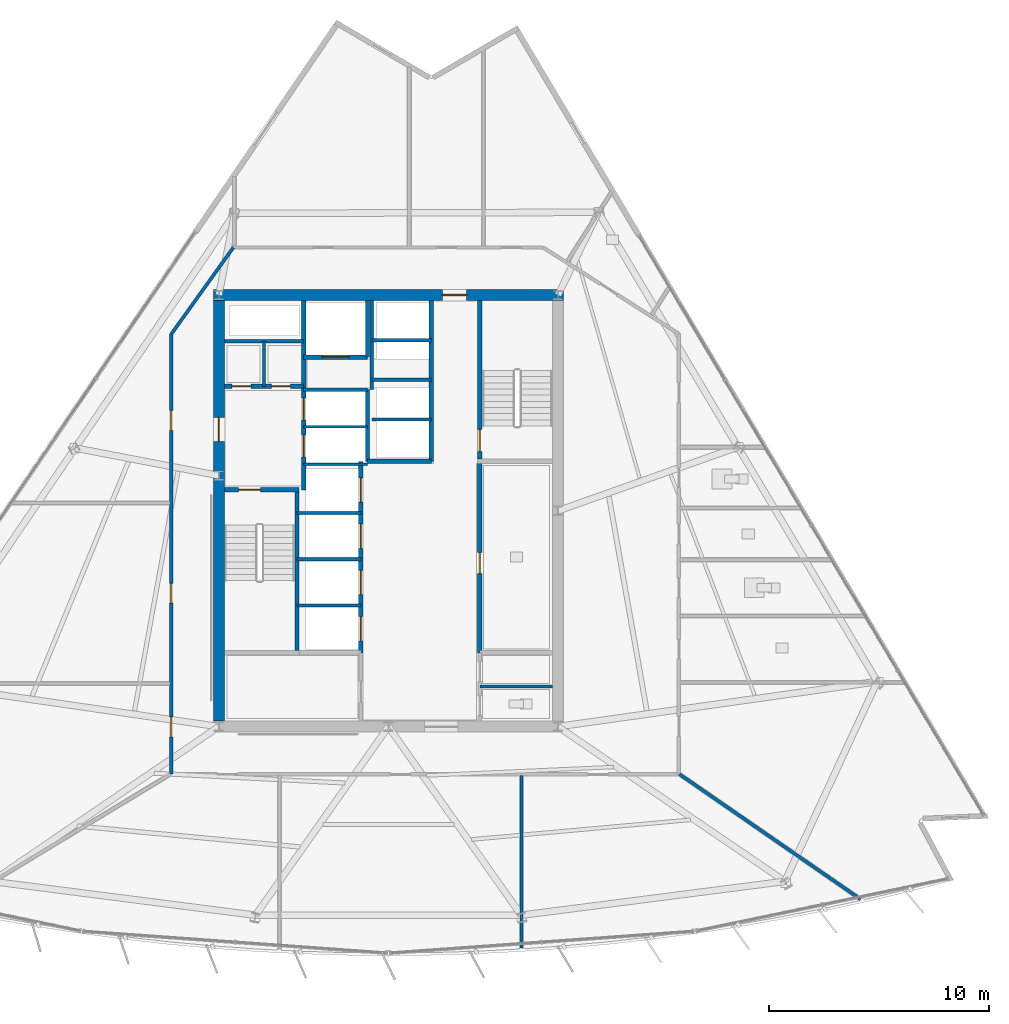
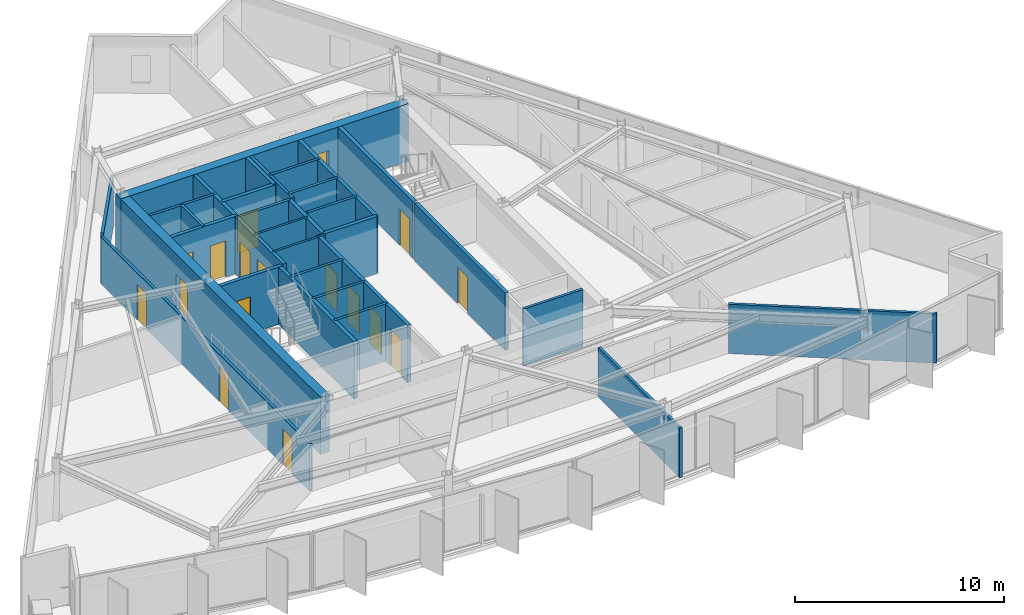
# One storey, part 8 of 15: 31 walls, 17 doors, 17 openings.
"""IFC4 building model written with IfcOpenShell, lengths in metres."""

from ifc_helpers import new_model, si_unit, direction, frame, frame_2d, origin, place, context, subcontext, project, spatial, rectangle, extrude, material, layer, layer_set, type_object, element, fill, save


model = new_model("IFC4")

# Units and contexts
model_context = context("Model", 3, precision=1e-05, world=origin(), true_north=direction((0.0, 1.0)))
body_context = subcontext(model_context, "Body", "Model", "MODEL_VIEW")
ifc_project = project(units=[si_unit("LENGTHUNIT", "METRE"), si_unit("AREAUNIT", "SQUARE_METRE"), si_unit("VOLUMEUNIT", "CUBIC_METRE"), si_unit("PLANEANGLEUNIT", "RADIAN"), si_unit("MASSUNIT", "GRAM", prefix="KILO")], contexts=[model_context])

# Site, building, storey
site_placement = place(None, origin())
site = spatial("IfcSite", under=ifc_project, at=site_placement, CompositionType="ELEMENT")
building_placement = place(site_placement, origin())
building = spatial("IfcBuilding", under=site, at=building_placement, Name="Savorim Split Tower", CompositionType="ELEMENT")
storey_placement = place(building_placement, frame((0.0, 0.0, 142.199951171875)))
storey = spatial("IfcBuildingStorey", under=building, at=storey_placement, Name="L37", CompositionType="ELEMENT", Elevation=142.199951171875)

# Wall, opening, door
ifc_material_1 = material(Name="Concrete C60/75", Category="concrete")
ifc_layer_1 = layer(ifc_material_1, 0.5)
ifc_layer_set_1 = layer_set([ifc_layer_1], Name="WAL-COR-SH500")
wall_type_1 = type_object("IfcWallType", Name="WAL-COR-SH500", PredefinedType="SHEAR", material=ifc_layer_set_1)
wall_1_placement = place(storey_placement, frame((7.949951171875, 10.199951171875, 0.0), z_axis=(0.0, 0.0, 1.0), x_axis=(-1.0, 0.0, 0.0)))
wall_1 = element("IfcWall", 1, at=wall_1_placement, inside=storey, type_object=wall_type_1, Name="L37 Offset Core North Shear Wall", PredefinedType="SHEAR", context=body_context, shape_type="SweptSolid", body=[
    extrude(rectangle(XDim=15.89990234375, YDim=0.5, at=frame_2d((7.949951171875, 0.0))), origin(), (0.0, 0.0, 1.0), 3.35009765625),
])
opening_1_placement = place(wall_1_placement, frame((4.39990234375, 0.0, 0.0)))
opening_1 = element("IfcOpeningElement", 2, at=opening_1_placement, cuts=wall_1, Name="Opening DI-03", PredefinedType="OPENING", context=body_context, shape_type="SweptSolid", body=[
    extrude(rectangle(XDim=1.10009765625, YDim=2.14990234375, at=frame_2d((0.550048828125, 1.074951171875))), frame((0.0, 0.260009765625, 0.0), z_axis=(0.0, -1.0, 0.0), x_axis=(1.0, 0.0, 0.0)), (0.0, 0.0, 1.0), 0.52001953125),
])
ifc_material_2 = material(Name="Timber Fire Door Leaf", Category="wood")
door_type_1 = type_object("IfcDoorType", Name="DOR-FIR-1100", OperationType="NOTDEFINED", PredefinedType="DOOR", material=ifc_material_2)
door_1_placement = place(opening_1_placement, origin())
door_1 = element("IfcDoor", 3, at=door_1_placement, inside=storey, type_object=door_type_1, Name="DOR-L37-COR-NLOB - L37 North Corridor Lobby Fire Door", OperationType="SINGLE_SWING_RIGHT", OverallHeight=2.14990234375, OverallWidth=1.10009765625, PredefinedType="DOOR", context=body_context, shape_type="SweptSolid", body=[
    extrude(rectangle(XDim=1.10009765625, YDim=2.14990234375, at=frame_2d((0.550048828125, 1.074951171875))), frame((0.0, 0.02490234375, 0.0), z_axis=(0.0, -1.0, 0.0), x_axis=(1.0, 0.0, 0.0)), (0.0, 0.0, 1.0), 0.050048828125),
])
fill(opening_1, door_1)

wall_2_placement = place(storey_placement, frame((-7.699951171875, -9.14990234375, 0.0), z_axis=(0.0, 0.0, 1.0), x_axis=(0.0, 1.0, 0.0)))
wall_2 = element("IfcWall", 4, at=wall_2_placement, inside=storey, type_object=wall_type_1, Name="L37 Offset Core West Shear Wall", PredefinedType="SHEAR", context=body_context, shape_type="SweptSolid", body=[
    extrude(rectangle(XDim=19.099853515625, YDim=0.5, at=frame_2d((9.5498046875, 0.0))), origin(), (0.0, 0.0, 1.0), 3.35009765625),
])
opening_2_placement = place(wall_2_placement, frame((12.699951171875, 0.0, 0.0)))
opening_2 = element("IfcOpeningElement", 5, at=opening_2_placement, cuts=wall_2, Name="Opening DI-03", PredefinedType="OPENING", context=body_context, shape_type="SweptSolid", body=[
    extrude(rectangle(XDim=1.10009765625, YDim=2.14990234375, at=frame_2d((0.550048828125, 1.074951171875))), frame((0.0, 0.260009765625, 0.0), z_axis=(0.0, -1.0, 0.0), x_axis=(1.0, 0.0, 0.0)), (0.0, 0.0, 1.0), 0.52001953125),
])
door_2_placement = place(opening_2_placement, origin())
door_2 = element("IfcDoor", 6, at=door_2_placement, inside=storey, type_object=door_type_1, Name="DOR-L37-COR-FFLOB - L37 Firefighting Lobby Corridor Door", OperationType="SINGLE_SWING_LEFT", OverallHeight=2.14990234375, OverallWidth=1.10009765625, PredefinedType="DOOR", context=body_context, shape_type="SweptSolid", body=[
    extrude(rectangle(XDim=1.10009765625, YDim=2.14990234375, at=frame_2d((0.550048828125, 1.074951171875))), frame((0.0, 0.02490234375, 0.0), z_axis=(0.0, -1.0, 0.0), x_axis=(1.0, 0.0, 0.0)), (0.0, 0.0, 1.0), 0.050048828125),
])
fill(opening_2, door_2)

ifc_material_3 = material(Name="Concrete C50/60", Category="concrete")
ifc_layer_2 = layer(ifc_material_3, 0.199951171875)
ifc_layer_set_2 = layer_set([ifc_layer_2], Name="WAL-INT-RC200")
wall_type_2 = type_object("IfcWallType", Name="WAL-INT-RC200", PredefinedType="SOLIDWALL", material=ifc_layer_set_2)
wall_3_placement = place(storey_placement, frame((-7.449951171875, 1.35009765625, 0.0), z_axis=(0.0, 0.0, 1.0), x_axis=(1.0, 0.0, 0.0)))
wall_3 = element("IfcWall", 7, at=wall_3_placement, inside=storey, type_object=wall_type_2, Name="L37 Structural Shaft Wall W-L37-CR01", PredefinedType="SOLIDWALL", context=body_context, shape_type="SweptSolid", body=[
    extrude(rectangle(XDim=3.39990234375, YDim=0.199951171875, at=frame_2d((1.699951171875, 0.0))), origin(), (0.0, 0.0, 1.0), 3.35009765625),
])
opening_3_placement = place(wall_3_placement, frame((0.64990234375, 0.0, 0.0)))
opening_3 = element("IfcOpeningElement", 8, at=opening_3_placement, cuts=wall_3, Name="Opening DI-04", PredefinedType="OPENING", context=body_context, shape_type="SweptSolid", body=[
    extrude(rectangle(XDim=1.0, YDim=2.14990234375, at=frame_2d((0.5, 1.074951171875))), frame((0.0, 0.10986328125, 0.0), z_axis=(0.0, -1.0, 0.0), x_axis=(1.0, 0.0, 0.0)), (0.0, 0.0, 1.0), 0.219970703125),
])
door_type_2 = type_object("IfcDoorType", Name="DOR-FIR-1000", OperationType="NOTDEFINED", PredefinedType="DOOR", material=ifc_material_2)
door_3_placement = place(opening_3_placement, origin())
door_3 = element("IfcDoor", 9, at=door_3_placement, inside=storey, type_object=door_type_2, Name="DR-L37-ST1 - L37 Stair ST-1 Enclosure Door", OperationType="SINGLE_SWING_LEFT", OverallHeight=2.14990234375, OverallWidth=1.0, PredefinedType="DOOR", context=body_context, shape_type="SweptSolid", body=[
    extrude(rectangle(XDim=1.0, YDim=2.14990234375, at=frame_2d((0.5, 1.074951171875))), frame((0.0, 0.02490234375, 0.0), z_axis=(0.0, -1.0, 0.0), x_axis=(1.0, 0.0, 0.0)), (0.0, 0.0, 1.0), 0.050048828125),
])
fill(opening_3, door_3)

# Wall
wall_4_placement = place(storey_placement, frame((-4.14990234375, -5.949951171875, 0.0), z_axis=(0.0, 0.0, 1.0), x_axis=(0.0, 1.0, 0.0)))
element("IfcWall", 10, at=wall_4_placement, inside=storey, type_object=wall_type_2, Name="L37 Structural Shaft Wall W-L37-CR02", PredefinedType="SOLIDWALL", context=body_context, shape_type="SweptSolid", body=[
    extrude(rectangle(XDim=7.199951171875, YDim=0.199951171875, at=frame_2d((3.60009765625, 0.0))), origin(), (0.0, 0.0, 1.0), 3.35009765625),
])

# Wall, openings, doors
wall_5_placement = place(storey_placement, frame((-3.85009765625, 1.35009765625, 0.0), z_axis=(0.0, 0.0, 1.0), x_axis=(0.0, 1.0, 0.0)))
wall_5 = element("IfcWall", 11, at=wall_5_placement, inside=storey, type_object=wall_type_2, Name="L37 Partition W-L37-CR03", PredefinedType="SOLIDWALL", context=body_context, shape_type="SweptSolid", body=[
    extrude(rectangle(XDim=8.594970703125, YDim=0.199951171875, at=frame_2d((4.29736328125, 0.0))), origin(), (0.0, 0.0, 1.0), 3.35009765625),
])
opening_4_placement = place(wall_5_placement, frame((1.5, 0.0, 0.0)))
opening_4 = element("IfcOpeningElement", 12, at=opening_4_placement, cuts=wall_5, Name="Opening LD-FFL", PredefinedType="OPENING", context=body_context, shape_type="SweptSolid", body=[
    extrude(rectangle(XDim=1.0, YDim=2.14990234375, at=frame_2d((0.5, 1.074951171875))), frame((0.0, 0.10986328125, 0.0), z_axis=(0.0, -1.0, 0.0), x_axis=(1.0, 0.0, 0.0)), (0.0, 0.0, 1.0), 0.219970703125),
])
opening_5_placement = place(wall_5_placement, frame((3.179931640625, 0.0, 0.0)))
opening_5 = element("IfcOpeningElement", 13, at=opening_5_placement, cuts=wall_5, Name="Opening LD-FFL", PredefinedType="OPENING", context=body_context, shape_type="SweptSolid", body=[
    extrude(rectangle(XDim=1.0, YDim=2.14990234375, at=frame_2d((0.5, 1.074951171875))), frame((0.0, 0.10986328125, 0.0), z_axis=(0.0, -1.0, 0.0), x_axis=(1.0, 0.0, 0.0)), (0.0, 0.0, 1.0), 0.219970703125),
])
ifc_material_4 = material(Name="Charcoal Anodised Aluminium", Category="aluminium")
door_type_3 = type_object("IfcDoorType", Name="DOR-SLD-LD1000", OperationType="NOTDEFINED", PredefinedType="DOOR", material=ifc_material_4)
door_4_placement = place(opening_4_placement, origin())
door_4 = element("IfcDoor", 14, at=door_4_placement, inside=storey, type_object=door_type_3, Name="DR-L37-LD-FFL1 - L37 Firefighting Lift FFL-1 Sliding Landing Door", OperationType="DOUBLE_DOOR_SLIDING", OverallHeight=2.14990234375, OverallWidth=1.0, PredefinedType="DOOR", context=body_context, shape_type="SweptSolid", body=[
    extrude(rectangle(XDim=1.0, YDim=2.14990234375, at=frame_2d((0.5, 1.074951171875))), frame((0.0, 0.02490234375, 0.0), z_axis=(0.0, -1.0, 0.0), x_axis=(1.0, 0.0, 0.0)), (0.0, 0.0, 1.0), 0.050048828125),
])
fill(opening_4, door_4)
door_5_placement = place(opening_5_placement, origin())
door_5 = element("IfcDoor", 15, at=door_5_placement, inside=storey, type_object=door_type_3, Name="DR-L37-LD-FFL2 - L37 Firefighting Lift FFL-2 Sliding Landing Door", OperationType="DOUBLE_DOOR_SLIDING", OverallHeight=2.14990234375, OverallWidth=1.0, PredefinedType="DOOR", context=body_context, shape_type="SweptSolid", body=[
    extrude(rectangle(XDim=1.0, YDim=2.14990234375, at=frame_2d((0.5, 1.074951171875))), frame((0.0, 0.02490234375, 0.0), z_axis=(0.0, -1.0, 0.0), x_axis=(1.0, 0.0, 0.0)), (0.0, 0.0, 1.0), 0.050048828125),
])
fill(opening_5, door_5)

wall_6_placement = place(storey_placement, frame((-7.445068359375, 6.050048828125, 0.0), z_axis=(0.0, 0.0, 1.0), x_axis=(1.0, 0.0, 0.0)))
wall_6 = element("IfcWall", 16, at=wall_6_placement, inside=storey, type_object=wall_type_2, Name="L37 Partition W-L37-CR04", PredefinedType="SOLIDWALL", context=body_context, shape_type="SweptSolid", body=[
    extrude(rectangle(XDim=3.594970703125, YDim=0.199951171875, at=frame_2d((1.79736328125, 0.0))), origin(), (0.0, 0.0, 1.0), 3.35009765625),
])
opening_6_placement = place(wall_6_placement, frame((0.344970703125, 0.0, 0.0)))
opening_6 = element("IfcOpeningElement", 17, at=opening_6_placement, cuts=wall_6, Name="Opening DI-12", PredefinedType="OPENING", context=body_context, shape_type="SweptSolid", body=[
    extrude(rectangle(XDim=0.85009765625, YDim=2.10009765625, at=frame_2d((0.425048828125, 1.050048828125))), frame((0.0, 0.10986328125, 0.0), z_axis=(0.0, -1.0, 0.0), x_axis=(1.0, 0.0, 0.0)), (0.0, 0.0, 1.0), 0.219970703125),
])
opening_7_placement = place(wall_6_placement, frame((2.14501953125, 0.0, 0.0)))
opening_7 = element("IfcOpeningElement", 18, at=opening_7_placement, cuts=wall_6, Name="Opening DI-12", PredefinedType="OPENING", context=body_context, shape_type="SweptSolid", body=[
    extrude(rectangle(XDim=0.85009765625, YDim=2.10009765625, at=frame_2d((0.425048828125, 1.050048828125))), frame((0.0, 0.10986328125, 0.0), z_axis=(0.0, -1.0, 0.0), x_axis=(1.0, 0.0, 0.0)), (0.0, 0.0, 1.0), 0.219970703125),
])
ifc_material_5 = material(Name="Galvanised Painted Steel Balustrade", Category="steel")
door_type_4 = type_object("IfcDoorType", Name="DOR-RIS-850", OperationType="NOTDEFINED", PredefinedType="DOOR", material=ifc_material_5)
door_6_placement = place(opening_6_placement, origin())
door_6 = element("IfcDoor", 19, at=door_6_placement, inside=storey, type_object=door_type_4, Name="DR-L37-ELR - L37 Electrical Riser Access Door", OperationType="SINGLE_SWING_RIGHT", OverallHeight=2.10009765625, OverallWidth=0.85009765625, PredefinedType="DOOR", context=body_context, shape_type="SweptSolid", body=[
    extrude(rectangle(XDim=0.85009765625, YDim=2.10009765625, at=frame_2d((0.425048828125, 1.050048828125))), frame((0.0, 0.02490234375, 0.0), z_axis=(0.0, -1.0, 0.0), x_axis=(1.0, 0.0, 0.0)), (0.0, 0.0, 1.0), 0.050048828125),
])
fill(opening_6, door_6)
door_7_placement = place(opening_7_placement, origin())
door_7 = element("IfcDoor", 20, at=door_7_placement, inside=storey, type_object=door_type_4, Name="DR-L37-TLR - L37 Telecom Riser Access Door", OperationType="SINGLE_SWING_LEFT", OverallHeight=2.10009765625, OverallWidth=0.85009765625, PredefinedType="DOOR", context=body_context, shape_type="SweptSolid", body=[
    extrude(rectangle(XDim=0.85009765625, YDim=2.10009765625, at=frame_2d((0.425048828125, 1.050048828125))), frame((0.0, 0.02490234375, 0.0), z_axis=(0.0, -1.0, 0.0), x_axis=(1.0, 0.0, 0.0)), (0.0, 0.0, 1.0), 0.050048828125),
])
fill(opening_7, door_7)

# Wall, opening, door
wall_7_placement = place(storey_placement, frame((4.14990234375, 2.75, 0.0), z_axis=(0.0, 0.0, 1.0), x_axis=(0.0, 1.0, 0.0)))
wall_7 = element("IfcWall", 21, at=wall_7_placement, inside=storey, type_object=wall_type_2, Name="L37 Structural Shaft Wall W-L37-CR07", PredefinedType="SOLIDWALL", context=body_context, shape_type="SweptSolid", body=[
    extrude(rectangle(XDim=7.199951171875, YDim=0.199951171875, at=frame_2d((3.60009765625, 0.0))), origin(), (0.0, 0.0, 1.0), 3.35009765625),
])
opening_8_placement = place(wall_7_placement, frame((0.35009765625, 0.0, 0.0)))
opening_8 = element("IfcOpeningElement", 22, at=opening_8_placement, cuts=wall_7, Name="Opening DI-04", PredefinedType="OPENING", context=body_context, shape_type="SweptSolid", body=[
    extrude(rectangle(XDim=1.0, YDim=2.14990234375, at=frame_2d((0.5, 1.074951171875))), frame((0.0, 0.10986328125, 0.0), z_axis=(0.0, -1.0, 0.0), x_axis=(1.0, 0.0, 0.0)), (0.0, 0.0, 1.0), 0.219970703125),
])
door_8_placement = place(opening_8_placement, origin())
door_8 = element("IfcDoor", 23, at=door_8_placement, inside=storey, type_object=door_type_2, Name="DR-L37-ST2 - L37 Stair ST-2 Enclosure Door", OperationType="SINGLE_SWING_RIGHT", OverallHeight=2.14990234375, OverallWidth=1.0, PredefinedType="DOOR", context=body_context, shape_type="SweptSolid", body=[
    extrude(rectangle(XDim=1.0, YDim=2.14990234375, at=frame_2d((0.5, 1.074951171875))), frame((0.0, 0.02490234375, 0.0), z_axis=(0.0, -1.0, 0.0), x_axis=(1.0, 0.0, 0.0)), (0.0, 0.0, 1.0), 0.050048828125),
])
fill(opening_8, door_8)

# Wall
wall_8_placement = place(storey_placement, frame((-0.949951171875, 2.64990234375, 0.0), z_axis=(0.0, 0.0, 1.0), x_axis=(0.0, 1.0, 0.0)))
element("IfcWall", 24, at=wall_8_placement, inside=storey, type_object=wall_type_2, Name="L37 Partition W-L37-FFLW", PredefinedType="SOLIDWALL", context=body_context, shape_type="SweptSolid", body=[
    extrude(rectangle(XDim=3.27001953125, YDim=0.199951171875, at=frame_2d((1.635009765625, 0.0))), origin(), (0.0, 0.0, 1.0), 3.35009765625),
])

# Wall, opening, door
wall_9_placement = place(storey_placement, frame((-3.85009765625, 7.3798828125, 0.0), z_axis=(0.0, 0.0, 1.0), x_axis=(1.0, 0.0, 0.0)))
wall_9 = element("IfcWall", 25, at=wall_9_placement, inside=storey, type_object=wall_type_2, Name="L37 Partition W-L37-SVLS", PredefinedType="SOLIDWALL", context=body_context, shape_type="SweptSolid", body=[
    extrude(rectangle(XDim=2.900146484375, YDim=0.199951171875, at=frame_2d((1.4501953125, 0.0))), origin(), (0.0, 0.0, 1.0), 3.35009765625),
])
opening_9_placement = place(wall_9_placement, frame((0.85009765625, 0.0, 0.0)))
opening_9 = element("IfcOpeningElement", 26, at=opening_9_placement, cuts=wall_9, Name="Opening LD-SV", PredefinedType="OPENING", context=body_context, shape_type="SweptSolid", body=[
    extrude(rectangle(XDim=1.199951171875, YDim=2.199951171875, at=frame_2d((0.60009765625, 1.10009765625))), frame((0.0, 0.10986328125, 0.0), z_axis=(0.0, -1.0, 0.0), x_axis=(1.0, 0.0, 0.0)), (0.0, 0.0, 1.0), 0.219970703125),
])
door_type_5 = type_object("IfcDoorType", Name="DOR-SLD-SV1200", OperationType="NOTDEFINED", PredefinedType="DOOR", material=ifc_material_4)
door_9_placement = place(opening_9_placement, origin())
door_9 = element("IfcDoor", 27, at=door_9_placement, inside=storey, type_object=door_type_5, Name="DR-L37-LD-SVL1 - L37 Service Lift SVL-1 Sliding Landing Door", OperationType="DOUBLE_DOOR_SLIDING", OverallHeight=2.199951171875, OverallWidth=1.199951171875, PredefinedType="DOOR", context=body_context, shape_type="SweptSolid", body=[
    extrude(rectangle(XDim=1.199951171875, YDim=2.199951171875, at=frame_2d((0.60009765625, 1.10009765625))), frame((0.0, 0.02490234375, 0.0), z_axis=(0.0, -1.0, 0.0), x_axis=(1.0, 0.0, 0.0)), (0.0, 0.0, 1.0), 0.050048828125),
])
fill(opening_9, door_9)

# Wall
wall_10_placement = place(storey_placement, frame((-0.949951171875, 7.3798828125, 0.0), z_axis=(0.0, 0.0, 1.0), x_axis=(0.0, 1.0, 0.0)))
element("IfcWall", 28, at=wall_10_placement, inside=storey, type_object=wall_type_2, Name="L37 Partition W-L37-SVLE", PredefinedType="SOLIDWALL", context=body_context, shape_type="SweptSolid", body=[
    extrude(rectangle(XDim=2.565185546875, YDim=0.199951171875, at=frame_2d((1.28271484375, 0.0))), origin(), (0.0, 0.0, 1.0), 3.35009765625),
])

# Wall, opening, door
wall_11_placement = place(storey_placement, frame((4.14990234375, -6.050048828125, 0.0), z_axis=(0.0, 0.0, 1.0), x_axis=(0.0, 1.0, 0.0)))
wall_11 = element("IfcWall", 29, at=wall_11_placement, inside=storey, type_object=wall_type_2, Name="L37 Partition W-L37-B1FRONT", PredefinedType="SOLIDWALL", context=body_context, shape_type="SweptSolid", body=[
    extrude(rectangle(XDim=8.699951171875, YDim=0.199951171875, at=frame_2d((4.35009765625, 0.0))), origin(), (0.0, 0.0, 1.0), 3.35009765625),
])
opening_10_placement = place(wall_11_placement, frame((3.60009765625, 0.0, 0.0)))
opening_10 = element("IfcOpeningElement", 30, at=opening_10_placement, cuts=wall_11, Name="Opening DI-05", PredefinedType="OPENING", context=body_context, shape_type="SweptSolid", body=[
    extrude(rectangle(XDim=0.949951171875, YDim=2.10009765625, at=frame_2d((0.47509765625, 1.050048828125))), frame((0.0, 0.10986328125, 0.0), z_axis=(0.0, -1.0, 0.0), x_axis=(1.0, 0.0, 0.0)), (0.0, 0.0, 1.0), 0.219970703125),
])
door_type_6 = type_object("IfcDoorType", Name="DOR-FIR-950", OperationType="NOTDEFINED", PredefinedType="DOOR", material=ifc_material_2)
door_10_placement = place(opening_10_placement, origin())
door_10 = element("IfcDoor", 31, at=door_10_placement, inside=storey, type_object=door_type_6, Name="DR-L37-LV7B1 - L37 Community Laundry Room Door", OperationType="SINGLE_SWING_RIGHT", OverallHeight=2.10009765625, OverallWidth=0.949951171875, PredefinedType="DOOR", context=body_context, shape_type="SweptSolid", body=[
    extrude(rectangle(XDim=0.949951171875, YDim=2.10009765625, at=frame_2d((0.47509765625, 1.050048828125))), frame((0.0, 0.02490234375, 0.0), z_axis=(0.0, -1.0, 0.0), x_axis=(1.0, 0.0, 0.0)), (0.0, 0.0, 1.0), 0.050048828125),
])
fill(opening_10, door_10)

# Wall, openings, doors
wall_12_placement = place(storey_placement, frame((-1.25, -6.050048828125, 0.0), z_axis=(0.0, 0.0, 1.0), x_axis=(0.0, 1.0, 0.0)))
wall_12 = element("IfcWall", 32, at=wall_12_placement, inside=storey, type_object=wall_type_2, Name="L37 Partition W-L37-B2FRONT", PredefinedType="SOLIDWALL", context=body_context, shape_type="SweptSolid", body=[
    extrude(rectangle(XDim=8.699951171875, YDim=0.199951171875, at=frame_2d((4.35009765625, 0.0))), origin(), (0.0, 0.0, 1.0), 3.35009765625),
])
opening_11_placement = place(wall_12_placement, frame((0.550048828125, 0.0, 0.0)))
opening_11 = element("IfcOpeningElement", 33, at=opening_11_placement, cuts=wall_12, Name="Opening LD-02", PredefinedType="OPENING", context=body_context, shape_type="SweptSolid", body=[
    extrude(rectangle(XDim=1.10009765625, YDim=2.14990234375, at=frame_2d((0.550048828125, 1.074951171875))), frame((0.0, 0.10986328125, 0.0), z_axis=(0.0, -1.0, 0.0), x_axis=(1.0, 0.0, 0.0)), (0.0, 0.0, 1.0), 0.219970703125),
])
opening_12_placement = place(wall_12_placement, frame((2.64990234375, 0.0, 0.0)))
opening_12 = element("IfcOpeningElement", 34, at=opening_12_placement, cuts=wall_12, Name="Opening LD-02", PredefinedType="OPENING", context=body_context, shape_type="SweptSolid", body=[
    extrude(rectangle(XDim=1.10009765625, YDim=2.14990234375, at=frame_2d((0.550048828125, 1.074951171875))), frame((0.0, 0.10986328125, 0.0), z_axis=(0.0, -1.0, 0.0), x_axis=(1.0, 0.0, 0.0)), (0.0, 0.0, 1.0), 0.219970703125),
])
opening_13_placement = place(wall_12_placement, frame((4.75, 0.0, 0.0)))
opening_13 = element("IfcOpeningElement", 35, at=opening_13_placement, cuts=wall_12, Name="Opening LD-02", PredefinedType="OPENING", context=body_context, shape_type="SweptSolid", body=[
    extrude(rectangle(XDim=1.10009765625, YDim=2.14990234375, at=frame_2d((0.550048828125, 1.074951171875))), frame((0.0, 0.10986328125, 0.0), z_axis=(0.0, -1.0, 0.0), x_axis=(1.0, 0.0, 0.0)), (0.0, 0.0, 1.0), 0.219970703125),
])
opening_14_placement = place(wall_12_placement, frame((6.85009765625, 0.0, 0.0)))
opening_14 = element("IfcOpeningElement", 36, at=opening_14_placement, cuts=wall_12, Name="Opening LD-02", PredefinedType="OPENING", context=body_context, shape_type="SweptSolid", body=[
    extrude(rectangle(XDim=1.10009765625, YDim=2.14990234375, at=frame_2d((0.550048828125, 1.074951171875))), frame((0.0, 0.10986328125, 0.0), z_axis=(0.0, -1.0, 0.0), x_axis=(1.0, 0.0, 0.0)), (0.0, 0.0, 1.0), 0.219970703125),
])
door_type_7 = type_object("IfcDoorType", Name="DOR-SLD-LDM1100", OperationType="NOTDEFINED", PredefinedType="DOOR", material=ifc_material_4)
door_11_placement = place(opening_11_placement, origin())
door_11 = element("IfcDoor", 37, at=door_11_placement, inside=storey, type_object=door_type_7, Name="DR-L37-LD-PLM1 - L37 Lift PL-M1 Sliding Landing Door", OperationType="DOUBLE_DOOR_SLIDING", OverallHeight=2.14990234375, OverallWidth=1.10009765625, PredefinedType="DOOR", context=body_context, shape_type="SweptSolid", body=[
    extrude(rectangle(XDim=1.10009765625, YDim=2.14990234375, at=frame_2d((0.550048828125, 1.074951171875))), frame((0.0, 0.02490234375, 0.0), z_axis=(0.0, -1.0, 0.0), x_axis=(1.0, 0.0, 0.0)), (0.0, 0.0, 1.0), 0.050048828125),
])
fill(opening_11, door_11)
door_12_placement = place(opening_12_placement, origin())
door_12 = element("IfcDoor", 38, at=door_12_placement, inside=storey, type_object=door_type_7, Name="DR-L37-LD-PLM2 - L37 Lift PL-M2 Sliding Landing Door", OperationType="DOUBLE_DOOR_SLIDING", OverallHeight=2.14990234375, OverallWidth=1.10009765625, PredefinedType="DOOR", context=body_context, shape_type="SweptSolid", body=[
    extrude(rectangle(XDim=1.10009765625, YDim=2.14990234375, at=frame_2d((0.550048828125, 1.074951171875))), frame((0.0, 0.02490234375, 0.0), z_axis=(0.0, -1.0, 0.0), x_axis=(1.0, 0.0, 0.0)), (0.0, 0.0, 1.0), 0.050048828125),
])
fill(opening_12, door_12)
door_13_placement = place(opening_13_placement, origin())
door_13 = element("IfcDoor", 39, at=door_13_placement, inside=storey, type_object=door_type_7, Name="DR-L37-LD-PLM3 - L37 Lift PL-M3 Sliding Landing Door", OperationType="DOUBLE_DOOR_SLIDING", OverallHeight=2.14990234375, OverallWidth=1.10009765625, PredefinedType="DOOR", context=body_context, shape_type="SweptSolid", body=[
    extrude(rectangle(XDim=1.10009765625, YDim=2.14990234375, at=frame_2d((0.550048828125, 1.074951171875))), frame((0.0, 0.02490234375, 0.0), z_axis=(0.0, -1.0, 0.0), x_axis=(1.0, 0.0, 0.0)), (0.0, 0.0, 1.0), 0.050048828125),
])
fill(opening_13, door_13)
door_14_placement = place(opening_14_placement, origin())
door_14 = element("IfcDoor", 40, at=door_14_placement, inside=storey, type_object=door_type_7, Name="DR-L37-LD-PLM4 - L37 Lift PL-M4 Sliding Landing Door", OperationType="DOUBLE_DOOR_SLIDING", OverallHeight=2.14990234375, OverallWidth=1.10009765625, PredefinedType="DOOR", context=body_context, shape_type="SweptSolid", body=[
    extrude(rectangle(XDim=1.10009765625, YDim=2.14990234375, at=frame_2d((0.550048828125, 1.074951171875))), frame((0.0, 0.02490234375, 0.0), z_axis=(0.0, -1.0, 0.0), x_axis=(1.0, 0.0, 0.0)), (0.0, 0.0, 1.0), 0.050048828125),
])
fill(opening_14, door_14)

# Walls
wall_13_placement = place(storey_placement, frame((1.949951171875, 2.64990234375, 0.0), z_axis=(0.0, 0.0, 1.0), x_axis=(0.0, 1.0, 0.0)))
element("IfcWall", 41, at=wall_13_placement, inside=storey, type_object=wall_type_2, Name="L37 Partition W-L37-B3FRONT", PredefinedType="SOLIDWALL", context=body_context, shape_type="SweptSolid", body=[
    extrude(rectangle(XDim=7.295166015625, YDim=0.199951171875, at=frame_2d((3.6474609375, 0.0))), origin(), (0.0, 0.0, 1.0), 3.35009765625),
])
wall_14_placement = place(storey_placement, frame((-0.949951171875, 2.64990234375, 0.0), z_axis=(0.0, 0.0, 1.0), x_axis=(1.0, 0.0, 0.0)))
element("IfcWall", 42, at=wall_14_placement, inside=storey, type_object=wall_type_2, Name="L37 Partition W-L37-B3SOUTH", PredefinedType="SOLIDWALL", context=body_context, shape_type="SweptSolid", body=[
    extrude(rectangle(XDim=2.89990234375, YDim=0.199951171875, at=frame_2d((1.449951171875, 0.0))), origin(), (0.0, 0.0, 1.0), 3.35009765625),
])
ifc_material_6 = material(Name="Acoustic Gypsum Partition Board")
ifc_layer_3 = layer(ifc_material_6, 0.1201171875)
ifc_layer_set_3 = layer_set([ifc_layer_3], Name="WAL-PAR-120")
wall_type_3 = type_object("IfcWallType", Name="WAL-PAR-120", PredefinedType="PARTITIONING", material=ifc_layer_set_3)
for number, where, z_axis, x_axis, name in (
    (43, (-3.85009765625, 2.52001953125, 0.0), (0.0, 0.0, 1.0), (1.0, 0.0, 0.0), "L37 Partition W-L37-FFLD0"),
    (44, (-3.85009765625, 4.219970703125, 0.0), (0.0, 0.0, 1.0), (1.0, 0.0, 0.0), "L37 Partition W-L37-FFLD1"),
):
    element("IfcWall", number, at=place(storey_placement, frame(where, z_axis=z_axis, x_axis=x_axis)), inside=storey, type_object=wall_type_3, Name=name, PredefinedType="PARTITIONING", context=body_context, shape_type="SweptSolid", body=[
        extrude(rectangle(XDim=2.900146484375, YDim=0.1201171875, at=frame_2d((1.4501953125, 0.0))), origin(), (0.0, 0.0, 1.0), 3.35009765625),
    ])
ifc_layer_4 = layer(ifc_material_6, 0.14990234375)
ifc_layer_set_4 = layer_set([ifc_layer_4], Name="WAL-PAR-150")
wall_type_4 = type_object("IfcWallType", Name="WAL-PAR-150", PredefinedType="PARTITIONING", material=ifc_layer_set_4)
wall_15_placement = place(storey_placement, frame((-7.445068359375, 8.10009765625, 0.0), z_axis=(0.0, 0.0, 1.0), x_axis=(1.0, 0.0, 0.0)))
element("IfcWall", 45, at=wall_15_placement, inside=storey, type_object=wall_type_4, Name="L37 Partition W-L37-CR05", PredefinedType="PARTITIONING", context=body_context, shape_type="SweptSolid", body=[
    extrude(rectangle(XDim=3.594970703125, YDim=0.14990234375, at=frame_2d((1.79736328125, 0.0))), origin(), (0.0, 0.0, 1.0), 3.35009765625),
])
wall_16_placement = place(storey_placement, frame((-5.64990234375, 6.050048828125, 0.0), z_axis=(0.0, 0.0, 1.0), x_axis=(0.0, 1.0, 0.0)))
element("IfcWall", 46, at=wall_16_placement, inside=storey, type_object=wall_type_4, Name="L37 Partition W-L37-CR06", PredefinedType="PARTITIONING", context=body_context, shape_type="SweptSolid", body=[
    extrude(rectangle(XDim=2.050048828125, YDim=0.14990234375, at=frame_2d((1.02490234375, 0.0))), origin(), (0.0, 0.0, 1.0), 3.35009765625),
])
wall_17_placement = place(storey_placement, frame((-3.85009765625, 5.89990234375, 0.0), z_axis=(0.0, 0.0, 1.0), x_axis=(1.0, 0.0, 0.0)))
element("IfcWall", 47, at=wall_17_placement, inside=storey, type_object=wall_type_4, Name="L37 Partition W-L37-FFLD2", PredefinedType="PARTITIONING", context=body_context, shape_type="SweptSolid", body=[
    extrude(rectangle(XDim=2.900146484375, YDim=0.14990234375, at=frame_2d((1.4501953125, 0.0))), origin(), (0.0, 0.0, 1.0), 3.35009765625),
])
for number, where, z_axis, x_axis, name in (
    (48, (-4.14990234375, -3.89990234375, 0.0), (0.0, 0.0, 1.0), (1.0, 0.0, 0.0), "L37 Partition W-L37-B2DIV1"),
    (49, (-4.14990234375, -1.800048828125, 0.0), (0.0, 0.0, 1.0), (1.0, 0.0, 0.0), "L37 Partition W-L37-B2DIV2"),
    (50, (-4.14990234375, 0.300048828125, 0.0), (0.0, 0.0, 1.0), (1.0, 0.0, 0.0), "L37 Partition W-L37-B2DIV3"),
):
    element("IfcWall", number, at=place(storey_placement, frame(where, z_axis=z_axis, x_axis=x_axis)), inside=storey, type_object=wall_type_4, Name=name, PredefinedType="PARTITIONING", context=body_context, shape_type="SweptSolid", body=[
        extrude(rectangle(XDim=2.89990234375, YDim=0.14990234375, at=frame_2d((1.449951171875, 0.0))), origin(), (0.0, 0.0, 1.0), 3.35009765625),
    ])
wall_18_placement = place(storey_placement, frame((-0.75, 5.919921875, 0.0), z_axis=(0.0, 0.0, 1.0), x_axis=(0.0, 1.0, 0.0)))
element("IfcWall", 51, at=wall_18_placement, inside=storey, type_object=wall_type_4, Name="L37 Partition W-L37-B3WEST", PredefinedType="PARTITIONING", context=body_context, shape_type="SweptSolid", body=[
    extrude(rectangle(XDim=4.025146484375, YDim=0.14990234375, at=frame_2d((2.0126953125, 0.0))), origin(), (0.0, 0.0, 1.0), 3.35009765625),
])
for number, where, z_axis, x_axis, name in (
    (52, (-0.75, 4.550048828125, 0.0), (0.0, 0.0, 1.0), (1.0, 0.0, 0.0), "L37 Partition W-L37-B3DIV1"),
    (53, (-0.75, 6.35009765625, 0.0), (0.0, 0.0, 1.0), (1.0, 0.0, 0.0), "L37 Partition W-L37-B3DIV2"),
    (54, (-0.75, 8.14990234375, 0.0), (0.0, 0.0, 1.0), (1.0, 0.0, 0.0), "L37 Partition W-L37-B3DIV3"),
):
    element("IfcWall", number, at=place(storey_placement, frame(where, z_axis=z_axis, x_axis=x_axis)), inside=storey, type_object=wall_type_4, Name=name, PredefinedType="PARTITIONING", context=body_context, shape_type="SweptSolid", body=[
        extrude(rectangle(XDim=2.699951171875, YDim=0.14990234375, at=frame_2d((1.35009765625, 0.0))), origin(), (0.0, 0.0, 1.0), 3.35009765625),
    ])
wall_19_placement = place(storey_placement, frame((4.14990234375, -7.580078125, 0.0), z_axis=(0.0, 0.0, 1.0), x_axis=(1.0, 0.0, 0.0)))
element("IfcWall", 55, at=wall_19_placement, inside=storey, type_object=wall_type_4, Name="L37 Partition W-L37-K3H", PredefinedType="PARTITIONING", context=body_context, shape_type="SweptSolid", body=[
    extrude(rectangle(XDim=3.295166015625, YDim=0.14990234375, at=frame_2d((1.6474609375, 0.0))), origin(), (0.0, 0.0, 1.0), 3.35009765625),
])

# Wall, openings, doors
wall_20_placement = place(storey_placement, frame((-9.860107421875, -11.56005859375, 0.0), z_axis=(0.0, 0.0, 1.0), x_axis=(0.0, 1.0, 0.0)))
wall_20 = element("IfcWall", 56, at=wall_20_placement, inside=storey, type_object=wall_type_4, Name="L37 Partition W-L37-COR-01", PredefinedType="PARTITIONING", context=body_context, shape_type="SweptSolid", body=[
    extrude(rectangle(XDim=19.98583984375, YDim=0.14990234375, at=frame_2d((9.992919921875, 0.0))), origin(), (0.0, 0.0, 1.0), 2.775146484375),
])
opening_15_placement = place(wall_20_placement, frame((7.769287109375, 0.0, 0.0)))
opening_15 = element("IfcOpeningElement", 57, at=opening_15_placement, cuts=wall_20, Name="Opening DI-06", PredefinedType="OPENING", context=body_context, shape_type="SweptSolid", body=[
    extrude(rectangle(XDim=0.89990234375, YDim=2.10009765625, at=frame_2d((0.449951171875, 1.050048828125))), frame((0.0, 0.0849609375, 0.0), z_axis=(0.0, -1.0, 0.0), x_axis=(1.0, 0.0, 0.0)), (0.0, 0.0, 1.0), 0.169921875),
])
opening_16_placement = place(wall_20_placement, frame((1.6982421875, 0.0, 0.0)))
opening_16 = element("IfcOpeningElement", 58, at=opening_16_placement, cuts=wall_20, Name="Opening DI-06", PredefinedType="OPENING", context=body_context, shape_type="SweptSolid", body=[
    extrude(rectangle(XDim=0.89990234375, YDim=2.10009765625, at=frame_2d((0.449951171875, 1.050048828125))), frame((0.0, 0.0849609375, 0.0), z_axis=(0.0, -1.0, 0.0), x_axis=(1.0, 0.0, 0.0)), (0.0, 0.0, 1.0), 0.169921875),
])
opening_17_placement = place(wall_20_placement, frame((15.614013671875, 0.0, 0.0)))
opening_17 = element("IfcOpeningElement", 59, at=opening_17_placement, cuts=wall_20, Name="Opening DI-06", PredefinedType="OPENING", context=body_context, shape_type="SweptSolid", body=[
    extrude(rectangle(XDim=0.89990234375, YDim=2.10009765625, at=frame_2d((0.449951171875, 1.050048828125))), frame((0.0, 0.0849609375, 0.0), z_axis=(0.0, -1.0, 0.0), x_axis=(1.0, 0.0, 0.0)), (0.0, 0.0, 1.0), 0.169921875),
])
door_type_8 = type_object("IfcDoorType", Name="DOR-FIR-900", OperationType="NOTDEFINED", PredefinedType="DOOR", material=ifc_material_2)
door_15_placement = place(opening_15_placement, origin())
door_15 = element("IfcDoor", 60, at=door_15_placement, inside=storey, type_object=door_type_8, Name="DR-L37-RM01 - L37 Co-Working Commons Entry Door", OperationType="SINGLE_SWING_RIGHT", OverallHeight=2.10009765625, OverallWidth=0.89990234375, PredefinedType="DOOR", context=body_context, shape_type="SweptSolid", body=[
    extrude(rectangle(XDim=0.89990234375, YDim=2.10009765625, at=frame_2d((0.449951171875, 1.050048828125))), frame((0.0, 0.02490234375, 0.0), z_axis=(0.0, -1.0, 0.0), x_axis=(1.0, 0.0, 0.0)), (0.0, 0.0, 1.0), 0.050048828125),
])
fill(opening_15, door_15)
door_16_placement = place(opening_16_placement, origin())
door_16 = element("IfcDoor", 61, at=door_16_placement, inside=storey, type_object=door_type_8, Name="DR-L37-RM02 - L37 Maker Workshop Entry Door", OperationType="SINGLE_SWING_LEFT", OverallHeight=2.10009765625, OverallWidth=0.89990234375, PredefinedType="DOOR", context=body_context, shape_type="SweptSolid", body=[
    extrude(rectangle(XDim=0.89990234375, YDim=2.10009765625, at=frame_2d((0.449951171875, 1.050048828125))), frame((0.0, 0.02490234375, 0.0), z_axis=(0.0, -1.0, 0.0), x_axis=(1.0, 0.0, 0.0)), (0.0, 0.0, 1.0), 0.050048828125),
])
fill(opening_16, door_16)
door_17_placement = place(opening_17_placement, origin())
door_17 = element("IfcDoor", 62, at=door_17_placement, inside=storey, type_object=door_type_8, Name="DR-L37-RM16 - L37 Maker Workshop Entry Door", OperationType="SINGLE_SWING_LEFT", OverallHeight=2.10009765625, OverallWidth=0.89990234375, PredefinedType="DOOR", context=body_context, shape_type="SweptSolid", body=[
    extrude(rectangle(XDim=0.89990234375, YDim=2.10009765625, at=frame_2d((0.449951171875, 1.050048828125))), frame((0.0, 0.02490234375, 0.0), z_axis=(0.0, -1.0, 0.0), x_axis=(1.0, 0.0, 0.0)), (0.0, 0.0, 1.0), 0.050048828125),
])
fill(opening_17, door_17)

# Walls
wall_21_placement = place(storey_placement, frame((-9.860107421875, 8.42578125, 0.0), z_axis=(0.0, 0.0, 1.0), x_axis=(0.582449511476, 0.812866881218, 0.0)))
element("IfcWall", 63, at=wall_21_placement, inside=storey, type_object=wall_type_4, Name="L37 Partition W-L37-COR-02", PredefinedType="PARTITIONING", context=body_context, shape_type="SweptSolid", body=[
    extrude(rectangle(XDim=4.840087890625, YDim=0.14990234375, at=frame_2d((2.419921875, 0.0))), origin(), (0.0, 0.0, 1.0), 2.965087890625),
])
wall_22_placement = place(storey_placement, frame((6.0478515625, -11.6201171875, 0.0), z_axis=(0.0, 0.0, 1.0), x_axis=(0.0, -1.0, 0.0)))
element("IfcWall", 64, at=wall_22_placement, inside=storey, type_object=wall_type_4, Name="L37 Partition W-L37-PRAD03", PredefinedType="PARTITIONING", context=body_context, shape_type="SweptSolid", body=[
    extrude(rectangle(XDim=7.822998046875, YDim=0.14990234375, at=frame_2d((3.91162109375, 0.0))), origin(), (0.0, 0.0, 1.0), 2.885009765625),
])
wall_23_placement = place(storey_placement, frame((13.21630859375, -11.5576171875, 0.0), z_axis=(0.0, 0.0, 1.0), x_axis=(0.822919997658, -0.56815726472, 0.0)))
element("IfcWall", 65, at=wall_23_placement, inside=storey, type_object=wall_type_4, Name="L37 Partition W-L37-SUB06", PredefinedType="PARTITIONING", context=body_context, shape_type="SweptSolid", body=[
    extrude(rectangle(XDim=10.001953125, YDim=0.14990234375, at=frame_2d((5.0009765625, 0.0))), origin(), (0.0, 0.0, 1.0), 2.885009765625),
])

save(model, "model.ifc")
